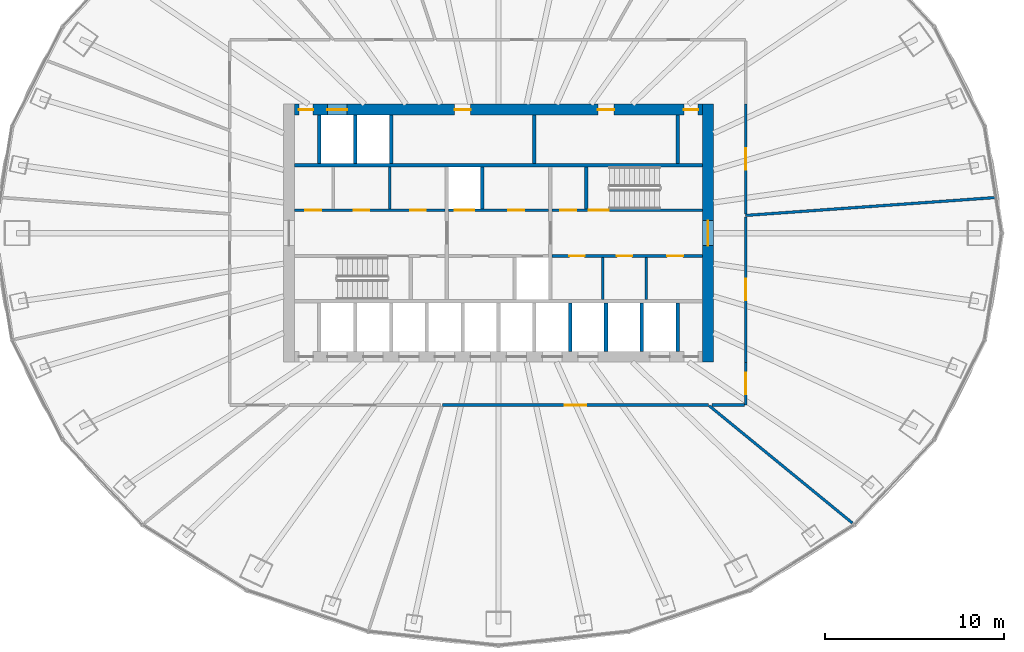
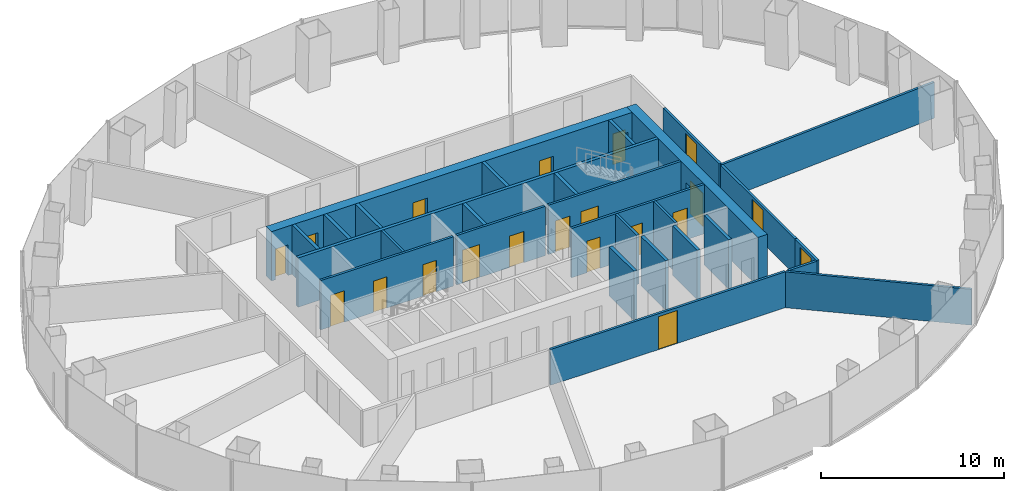
# One storey, part 9 of 11: 28 walls, 20 doors, 20 openings.
"""IFC4 building model written with IfcOpenShell, lengths in metres."""

from ifc_helpers import new_model, si_unit, direction, frame, frame_2d, origin, place, context, subcontext, project, spatial, rectangle, extrude, material, layer, layer_set, type_object, element, fill, save


model = new_model("IFC4")

# Units and contexts
model_context = context("Model", 3, precision=1e-05, world=origin(), true_north=direction((0.0, 1.0)))
body_context = subcontext(model_context, "Body", "Model", "MODEL_VIEW")
ifc_project = project(units=[si_unit("LENGTHUNIT", "METRE"), si_unit("AREAUNIT", "SQUARE_METRE"), si_unit("VOLUMEUNIT", "CUBIC_METRE"), si_unit("PLANEANGLEUNIT", "RADIAN"), si_unit("MASSUNIT", "GRAM", prefix="KILO")], contexts=[model_context])

# Site, building, storey
site_placement = place(None, origin())
site = spatial("IfcSite", under=ifc_project, at=site_placement, CompositionType="ELEMENT")
building_placement = place(site_placement, origin())
building = spatial("IfcBuilding", under=site, at=building_placement, Name="Siaravel Broadcast Tower", CompositionType="ELEMENT")
storey_placement = place(building_placement, frame((0.0, 0.0, 44.5)))
storey = spatial("IfcBuildingStorey", under=building, at=storey_placement, Name="L09", CompositionType="ELEMENT", Elevation=44.5)

# Walls
ifc_material_1 = material(Name="Concrete blockwork", Category="masonry")
ifc_layer_1 = layer(ifc_material_1, 0.14990234375)
ifc_layer_set_1 = layer_set([ifc_layer_1], Name="Concrete blockwork")
wall_type_1 = type_object("IfcWallType", Name="Core partition 150", PredefinedType="PARTITIONING", material=ifc_layer_set_1)
for number, where, z_axis, x_axis, name in (
    (1, (-6.072021484375, 1.35009765625, 0.0), (0.0, 0.0, 1.0), (0.0, 1.0, 0.0), "L09 core partition PNW1"),
    (2, (5.8291015625, -3.699951171875, 0.0), (0.0, 0.0, 1.0), (0.0, 1.0, 0.0), "L09 core partition PSE0"),
    (3, (8.2470703125, -3.699951171875, 0.0), (0.0, 0.0, 1.0), (0.0, 1.0, 0.0), "L09 core partition PSE1"),
):
    element("IfcWall", number, at=place(storey_placement, frame(where, z_axis=z_axis, x_axis=x_axis)), inside=storey, type_object=wall_type_1, Name=name, PredefinedType="PARTITIONING", context=body_context, shape_type="SweptSolid", body=[
        extrude(rectangle(XDim=2.349853515625, YDim=0.14990234375, at=frame_2d((1.1748046875, 0.0))), origin(), (0.0, 0.0, 1.0), 3.300048828125),
    ])
ifc_layer_2 = layer(ifc_material_1, 0.199951171875)
ifc_layer_set_2 = layer_set([ifc_layer_2], Name="Concrete blockwork")
wall_type_2 = type_object("IfcWallType", Name="Core partition 200", PredefinedType="PARTITIONING", material=ifc_layer_set_2)
wall_1_placement = place(storey_placement, frame((2.0, 3.89990234375, 0.0), z_axis=(0.0, 0.0, 1.0), x_axis=(0.0, 1.0, 0.0)))
element("IfcWall", 4, at=wall_1_placement, inside=storey, type_object=wall_type_2, Name="L09 core partition PFN2", PredefinedType="PARTITIONING", context=body_context, shape_type="SweptSolid", body=[
    extrude(rectangle(XDim=2.7001953125, YDim=0.199951171875, at=frame_2d((1.35009765625, 0.0))), origin(), (0.0, 0.0, 1.0), 3.300048828125),
])

# Wall, opening, door
ifc_material_2 = material(Name="Concrete C60/75", Category="concrete")
ifc_layer_3 = layer(ifc_material_2, 0.60009765625)
ifc_layer_set_3 = layer_set([ifc_layer_3], Name="Concrete C60/75")
wall_type_3 = type_object("IfcWallType", Name="Core wall 600", PredefinedType="SHEAR", material=ifc_layer_set_3)
wall_2_placement = place(storey_placement, frame((11.699951171875, -7.199951171875, 0.0), z_axis=(0.0, 0.0, 1.0), x_axis=(0.0, 1.0, 0.0)))
wall_2 = element("IfcWall", 5, at=wall_2_placement, inside=storey, type_object=wall_type_3, Name="L09 core wall OE", PredefinedType="SHEAR", context=body_context, shape_type="SweptSolid", body=[
    extrude(rectangle(XDim=14.39990234375, YDim=0.60009765625, at=frame_2d((7.199951171875, 0.0))), origin(), (0.0, 0.0, 1.0), 3.300048828125),
])
opening_1_placement = place(wall_2_placement, frame((6.5, 0.0, 0.0)))
opening_1 = element("IfcOpeningElement", 6, at=opening_1_placement, cuts=wall_2, Name="Opening L09-DX-E", PredefinedType="OPENING", context=body_context, shape_type="SweptSolid", body=[
    extrude(rectangle(XDim=1.39990234375, YDim=2.199951171875, at=frame_2d((0.699951171875, 1.10009765625))), frame((0.0, 0.31005859375, 0.0), z_axis=(0.0, -1.0, 0.0), x_axis=(1.0, 0.0, 0.0)), (0.0, 0.0, 1.0), 0.6201171875),
])
ifc_material_3 = material(Name="Steel", Category="steel")
door_type_1 = type_object("IfcDoorType", Name="Core exit door 1400", OperationType="DOUBLE_DOOR_SINGLE_SWING", PredefinedType="DOOR", material=ifc_material_3)
door_1_placement = place(opening_1_placement, origin())
door_1 = element("IfcDoor", 7, at=door_1_placement, inside=storey, type_object=door_type_1, Name="L09 door DX-E", OperationType="DOUBLE_DOOR_SINGLE_SWING", OverallHeight=2.199951171875, OverallWidth=1.39990234375, PredefinedType="DOOR", context=body_context, shape_type="SweptSolid", body=[
    extrude(rectangle(XDim=1.39990234375, YDim=2.199951171875, at=frame_2d((0.699951171875, 1.10009765625))), frame((0.0, 0.02490234375, 0.0), z_axis=(0.0, -1.0, 0.0), x_axis=(1.0, 0.0, 0.0)), (0.0, 0.0, 1.0), 0.050048828125),
])
fill(opening_1, door_1)

# Wall, openings, doors
wall_3_placement = place(storey_placement, frame((-11.39990234375, 6.89990234375, 0.0), z_axis=(0.0, 0.0, 1.0), x_axis=(1.0, 0.0, 0.0)))
wall_3 = element("IfcWall", 8, at=wall_3_placement, inside=storey, type_object=wall_type_3, Name="L09 core wall ON", PredefinedType="SHEAR", context=body_context, shape_type="SweptSolid", body=[
    extrude(rectangle(XDim=22.7998046875, YDim=0.60009765625, at=frame_2d((11.39990234375, 0.0))), origin(), (0.0, 0.0, 1.0), 3.300048828125),
])
opening_2_placement = place(wall_3_placement, frame((1.85009765625, 0.0, 0.0)))
opening_2 = element("IfcOpeningElement", 9, at=opening_2_placement, cuts=wall_3, Name="Opening LD-SV2-L09", PredefinedType="OPENING", context=body_context, shape_type="SweptSolid", body=[
    extrude(rectangle(XDim=1.10009765625, YDim=2.199951171875, at=frame_2d((0.550048828125, 1.10009765625))), frame((0.0, 0.31005859375, 0.0), z_axis=(0.0, -1.0, 0.0), x_axis=(1.0, 0.0, 0.0)), (0.0, 0.0, 1.0), 0.6201171875),
])
opening_3_placement = place(wall_3_placement, frame((8.949951171875, 0.0, 0.0)))
opening_3 = element("IfcOpeningElement", 10, at=opening_3_placement, cuts=wall_3, Name="Opening L09-DFN2", PredefinedType="OPENING", context=body_context, shape_type="SweptSolid", body=[
    extrude(rectangle(XDim=0.89990234375, YDim=2.10009765625, at=frame_2d((0.449951171875, 1.050048828125))), frame((0.0, 0.31005859375, 0.0), z_axis=(0.0, -1.0, 0.0), x_axis=(1.0, 0.0, 0.0)), (0.0, 0.0, 1.0), 0.6201171875),
])
opening_4_placement = place(wall_3_placement, frame((16.949951171875, 0.0, 0.0)))
opening_4 = element("IfcOpeningElement", 11, at=opening_4_placement, cuts=wall_3, Name="Opening L09-DFN6", PredefinedType="OPENING", context=body_context, shape_type="SweptSolid", body=[
    extrude(rectangle(XDim=0.89990234375, YDim=2.10009765625, at=frame_2d((0.449951171875, 1.050048828125))), frame((0.0, 0.31005859375, 0.0), z_axis=(0.0, -1.0, 0.0), x_axis=(1.0, 0.0, 0.0)), (0.0, 0.0, 1.0), 0.6201171875),
])
opening_5_placement = place(wall_3_placement, frame((0.25, 0.0, 0.0)))
opening_5 = element("IfcOpeningElement", 12, at=opening_5_placement, cuts=wall_3, Name="Opening L09-DRNW", PredefinedType="OPENING", context=body_context, shape_type="SweptSolid", body=[
    extrude(rectangle(XDim=0.800048828125, YDim=2.050048828125, at=frame_2d((0.39990234375, 1.02490234375))), frame((0.0, 0.31005859375, 0.0), z_axis=(0.0, -1.0, 0.0), x_axis=(1.0, 0.0, 0.0)), (0.0, 0.0, 1.0), 0.6201171875),
])
opening_6_placement = place(wall_3_placement, frame((21.75, 0.0, 0.0)))
opening_6 = element("IfcOpeningElement", 13, at=opening_6_placement, cuts=wall_3, Name="Opening L09-DRNE", PredefinedType="OPENING", context=body_context, shape_type="SweptSolid", body=[
    extrude(rectangle(XDim=0.800048828125, YDim=2.050048828125, at=frame_2d((0.39990234375, 1.02490234375))), frame((0.0, 0.31005859375, 0.0), z_axis=(0.0, -1.0, 0.0), x_axis=(1.0, 0.0, 0.0)), (0.0, 0.0, 1.0), 0.6201171875),
])
ifc_material_4 = material(Name="Timber veneer", Category="wood")
door_type_2 = type_object("IfcDoorType", Name="Core room door 900", OperationType="SINGLE_SWING_LEFT", PredefinedType="DOOR", material=ifc_material_4)
door_2_placement = place(opening_3_placement, origin())
door_2 = element("IfcDoor", 14, at=door_2_placement, inside=storey, type_object=door_type_2, Name="L09 door DFN2", OperationType="SINGLE_SWING_LEFT", OverallHeight=2.10009765625, OverallWidth=0.89990234375, PredefinedType="DOOR", context=body_context, shape_type="SweptSolid", body=[
    extrude(rectangle(XDim=0.89990234375, YDim=2.10009765625, at=frame_2d((0.449951171875, 1.050048828125))), frame((0.0, 0.02490234375, 0.0), z_axis=(0.0, -1.0, 0.0), x_axis=(1.0, 0.0, 0.0)), (0.0, 0.0, 1.0), 0.050048828125),
])
fill(opening_3, door_2)
door_3_placement = place(opening_4_placement, origin())
door_3 = element("IfcDoor", 15, at=door_3_placement, inside=storey, type_object=door_type_2, Name="L09 door DFN6", OperationType="SINGLE_SWING_LEFT", OverallHeight=2.10009765625, OverallWidth=0.89990234375, PredefinedType="DOOR", context=body_context, shape_type="SweptSolid", body=[
    extrude(rectangle(XDim=0.89990234375, YDim=2.10009765625, at=frame_2d((0.449951171875, 1.050048828125))), frame((0.0, 0.02490234375, 0.0), z_axis=(0.0, -1.0, 0.0), x_axis=(1.0, 0.0, 0.0)), (0.0, 0.0, 1.0), 0.050048828125),
])
fill(opening_4, door_3)
door_type_3 = type_object("IfcDoorType", Name="Riser door 800", OperationType="SINGLE_SWING_LEFT", PredefinedType="DOOR", material=ifc_material_3)
door_4_placement = place(opening_5_placement, origin())
door_4 = element("IfcDoor", 16, at=door_4_placement, inside=storey, type_object=door_type_3, Name="L09 door DRNW", OperationType="SINGLE_SWING_LEFT", OverallHeight=2.050048828125, OverallWidth=0.800048828125, PredefinedType="DOOR", context=body_context, shape_type="SweptSolid", body=[
    extrude(rectangle(XDim=0.800048828125, YDim=2.050048828125, at=frame_2d((0.39990234375, 1.02490234375))), frame((0.0, 0.02490234375, 0.0), z_axis=(0.0, -1.0, 0.0), x_axis=(1.0, 0.0, 0.0)), (0.0, 0.0, 1.0), 0.050048828125),
])
fill(opening_5, door_4)
door_5_placement = place(opening_6_placement, origin())
door_5 = element("IfcDoor", 17, at=door_5_placement, inside=storey, type_object=door_type_3, Name="L09 door DRNE", OperationType="SINGLE_SWING_LEFT", OverallHeight=2.050048828125, OverallWidth=0.800048828125, PredefinedType="DOOR", context=body_context, shape_type="SweptSolid", body=[
    extrude(rectangle(XDim=0.800048828125, YDim=2.050048828125, at=frame_2d((0.39990234375, 1.02490234375))), frame((0.0, 0.02490234375, 0.0), z_axis=(0.0, -1.0, 0.0), x_axis=(1.0, 0.0, 0.0)), (0.0, 0.0, 1.0), 0.050048828125),
])
fill(opening_6, door_5)
ifc_material_5 = material(Name="Stainless steel 316L", Category="steel")
door_type_4 = type_object("IfcDoorType", Name="Service lift landing door 1100", OperationType="DOUBLE_DOOR_SLIDING", PredefinedType="DOOR", material=ifc_material_5)
door_6_placement = place(opening_2_placement, origin())
door_6 = element("IfcDoor", 18, at=door_6_placement, inside=storey, type_object=door_type_4, Name="Landing door SV2 L09", OperationType="DOUBLE_DOOR_SLIDING", OverallHeight=2.199951171875, OverallWidth=1.10009765625, PredefinedType="DOOR", context=body_context, shape_type="SweptSolid", body=[
    extrude(rectangle(XDim=1.10009765625, YDim=2.199951171875, at=frame_2d((0.550048828125, 1.10009765625))), frame((0.0, 0.02490234375, 0.0), z_axis=(0.0, -1.0, 0.0), x_axis=(1.0, 0.0, 0.0)), (0.0, 0.0, 1.0), 0.050048828125),
])
fill(opening_2, door_6)

ifc_material_6 = material(Name="Gypsum board partition", Category="gypsum")
ifc_layer_4 = layer(ifc_material_6, 0.14990234375)
ifc_layer_set_4 = layer_set([ifc_layer_4], Name="Gypsum board partition")
wall_type_4 = type_object("IfcWallType", Name="Corridor wall 150", PredefinedType="PARTITIONING", material=ifc_layer_set_4)
wall_4_placement = place(storey_placement, frame((3.0, -1.27490234375, 0.0), z_axis=(0.0, 0.0, 1.0), x_axis=(1.0, 0.0, 0.0)))
wall_4 = element("IfcWall", 19, at=wall_4_placement, inside=storey, type_object=wall_type_4, Name="L09 core partition CSE", PredefinedType="PARTITIONING", context=body_context, shape_type="SweptSolid", body=[
    extrude(rectangle(XDim=8.39990234375, YDim=0.14990234375, at=frame_2d((4.199951171875, 0.0))), origin(), (0.0, 0.0, 1.0), 3.300048828125),
])
opening_7_placement = place(wall_4_placement, frame((0.951904296875, 0.0, 0.0)))
opening_7 = element("IfcOpeningElement", 20, at=opening_7_placement, cuts=wall_4, Name="Opening L09-DSE0", PredefinedType="OPENING", context=body_context, shape_type="SweptSolid", body=[
    extrude(rectangle(XDim=0.85009765625, YDim=2.10009765625, at=frame_2d((0.425048828125, 1.050048828125))), frame((0.0, 0.0849609375, 0.0), z_axis=(0.0, -1.0, 0.0), x_axis=(1.0, 0.0, 0.0)), (0.0, 0.0, 1.0), 0.169921875),
])
opening_8_placement = place(wall_4_placement, frame((3.613037109375, 0.0, 0.0)))
opening_8 = element("IfcOpeningElement", 21, at=opening_8_placement, cuts=wall_4, Name="Opening L09-DSE1", PredefinedType="OPENING", context=body_context, shape_type="SweptSolid", body=[
    extrude(rectangle(XDim=0.85009765625, YDim=2.10009765625, at=frame_2d((0.425048828125, 1.050048828125))), frame((0.0, 0.0849609375, 0.0), z_axis=(0.0, -1.0, 0.0), x_axis=(1.0, 0.0, 0.0)), (0.0, 0.0, 1.0), 0.169921875),
])
opening_9_placement = place(wall_4_placement, frame((6.410888671875, 0.0, 0.0)))
opening_9 = element("IfcOpeningElement", 22, at=opening_9_placement, cuts=wall_4, Name="Opening L09-DSE2", PredefinedType="OPENING", context=body_context, shape_type="SweptSolid", body=[
    extrude(rectangle(XDim=0.89990234375, YDim=2.10009765625, at=frame_2d((0.449951171875, 1.050048828125))), frame((0.0, 0.0849609375, 0.0), z_axis=(0.0, -1.0, 0.0), x_axis=(1.0, 0.0, 0.0)), (0.0, 0.0, 1.0), 0.169921875),
])
door_7_placement = place(opening_9_placement, origin())
door_7 = element("IfcDoor", 23, at=door_7_placement, inside=storey, type_object=door_type_2, Name="L09 door DSE2", OperationType="SINGLE_SWING_LEFT", OverallHeight=2.10009765625, OverallWidth=0.89990234375, PredefinedType="DOOR", context=body_context, shape_type="SweptSolid", body=[
    extrude(rectangle(XDim=0.89990234375, YDim=2.10009765625, at=frame_2d((0.449951171875, 1.050048828125))), frame((0.0, 0.02490234375, 0.0), z_axis=(0.0, -1.0, 0.0), x_axis=(1.0, 0.0, 0.0)), (0.0, 0.0, 1.0), 0.050048828125),
])
fill(opening_9, door_7)
door_type_5 = type_object("IfcDoorType", Name="Core toilet door 850", OperationType="SINGLE_SWING_LEFT", PredefinedType="DOOR", material=ifc_material_4)
door_8_placement = place(opening_7_placement, origin())
door_8 = element("IfcDoor", 24, at=door_8_placement, inside=storey, type_object=door_type_5, Name="L09 door DSE0", OperationType="SINGLE_SWING_LEFT", OverallHeight=2.10009765625, OverallWidth=0.85009765625, PredefinedType="DOOR", context=body_context, shape_type="SweptSolid", body=[
    extrude(rectangle(XDim=0.85009765625, YDim=2.10009765625, at=frame_2d((0.425048828125, 1.050048828125))), frame((0.0, 0.02490234375, 0.0), z_axis=(0.0, -1.0, 0.0), x_axis=(1.0, 0.0, 0.0)), (0.0, 0.0, 1.0), 0.050048828125),
])
fill(opening_7, door_8)
door_9_placement = place(opening_8_placement, origin())
door_9 = element("IfcDoor", 25, at=door_9_placement, inside=storey, type_object=door_type_5, Name="L09 door DSE1", OperationType="SINGLE_SWING_LEFT", OverallHeight=2.10009765625, OverallWidth=0.85009765625, PredefinedType="DOOR", context=body_context, shape_type="SweptSolid", body=[
    extrude(rectangle(XDim=0.85009765625, YDim=2.10009765625, at=frame_2d((0.425048828125, 1.050048828125))), frame((0.0, 0.02490234375, 0.0), z_axis=(0.0, -1.0, 0.0), x_axis=(1.0, 0.0, 0.0)), (0.0, 0.0, 1.0), 0.050048828125),
])
fill(opening_8, door_9)

wall_5_placement = place(storey_placement, frame((-11.39990234375, 1.27490234375, 0.0), z_axis=(0.0, 0.0, 1.0), x_axis=(1.0, 0.0, 0.0)))
wall_5 = element("IfcWall", 26, at=wall_5_placement, inside=storey, type_object=wall_type_4, Name="L09 core partition CNW", PredefinedType="PARTITIONING", context=body_context, shape_type="SweptSolid", body=[
    extrude(rectangle(XDim=8.39990234375, YDim=0.14990234375, at=frame_2d((4.199951171875, 0.0))), origin(), (0.0, 0.0, 1.0), 3.300048828125),
])
opening_10_placement = place(wall_5_placement, frame((0.60302734375, 0.0, 0.0)))
opening_10 = element("IfcOpeningElement", 27, at=opening_10_placement, cuts=wall_5, Name="Opening L09-DNW0", PredefinedType="OPENING", context=body_context, shape_type="SweptSolid", body=[
    extrude(rectangle(XDim=0.89990234375, YDim=2.10009765625, at=frame_2d((0.449951171875, 1.050048828125))), frame((0.0, 0.0849609375, 0.0), z_axis=(0.0, -1.0, 0.0), x_axis=(1.0, 0.0, 0.0)), (0.0, 0.0, 1.0), 0.169921875),
])
opening_11_placement = place(wall_5_placement, frame((3.32958984375, 0.0, 0.0)))
opening_11 = element("IfcOpeningElement", 28, at=opening_11_placement, cuts=wall_5, Name="Opening L09-DNW1", PredefinedType="OPENING", context=body_context, shape_type="SweptSolid", body=[
    extrude(rectangle(XDim=0.85009765625, YDim=2.10009765625, at=frame_2d((0.425048828125, 1.050048828125))), frame((0.0, 0.0849609375, 0.0), z_axis=(0.0, -1.0, 0.0), x_axis=(1.0, 0.0, 0.0)), (0.0, 0.0, 1.0), 0.169921875),
])
opening_12_placement = place(wall_5_placement, frame((6.4765625, 0.0, 0.0)))
opening_12 = element("IfcOpeningElement", 29, at=opening_12_placement, cuts=wall_5, Name="Opening L09-DNW2", PredefinedType="OPENING", context=body_context, shape_type="SweptSolid", body=[
    extrude(rectangle(XDim=0.85009765625, YDim=2.10009765625, at=frame_2d((0.425048828125, 1.050048828125))), frame((0.0, 0.0849609375, 0.0), z_axis=(0.0, -1.0, 0.0), x_axis=(1.0, 0.0, 0.0)), (0.0, 0.0, 1.0), 0.169921875),
])
door_10_placement = place(opening_10_placement, origin())
door_10 = element("IfcDoor", 30, at=door_10_placement, inside=storey, type_object=door_type_2, Name="L09 door DNW0", OperationType="SINGLE_SWING_LEFT", OverallHeight=2.10009765625, OverallWidth=0.89990234375, PredefinedType="DOOR", context=body_context, shape_type="SweptSolid", body=[
    extrude(rectangle(XDim=0.89990234375, YDim=2.10009765625, at=frame_2d((0.449951171875, 1.050048828125))), frame((0.0, 0.02490234375, 0.0), z_axis=(0.0, -1.0, 0.0), x_axis=(1.0, 0.0, 0.0)), (0.0, 0.0, 1.0), 0.050048828125),
])
fill(opening_10, door_10)
door_11_placement = place(opening_11_placement, origin())
door_11 = element("IfcDoor", 31, at=door_11_placement, inside=storey, type_object=door_type_5, Name="L09 door DNW1", OperationType="SINGLE_SWING_LEFT", OverallHeight=2.10009765625, OverallWidth=0.85009765625, PredefinedType="DOOR", context=body_context, shape_type="SweptSolid", body=[
    extrude(rectangle(XDim=0.85009765625, YDim=2.10009765625, at=frame_2d((0.425048828125, 1.050048828125))), frame((0.0, 0.02490234375, 0.0), z_axis=(0.0, -1.0, 0.0), x_axis=(1.0, 0.0, 0.0)), (0.0, 0.0, 1.0), 0.050048828125),
])
fill(opening_11, door_11)
door_12_placement = place(opening_12_placement, origin())
door_12 = element("IfcDoor", 32, at=door_12_placement, inside=storey, type_object=door_type_5, Name="L09 door DNW2", OperationType="SINGLE_SWING_LEFT", OverallHeight=2.10009765625, OverallWidth=0.85009765625, PredefinedType="DOOR", context=body_context, shape_type="SweptSolid", body=[
    extrude(rectangle(XDim=0.85009765625, YDim=2.10009765625, at=frame_2d((0.425048828125, 1.050048828125))), frame((0.0, 0.02490234375, 0.0), z_axis=(0.0, -1.0, 0.0), x_axis=(1.0, 0.0, 0.0)), (0.0, 0.0, 1.0), 0.050048828125),
])
fill(opening_12, door_12)

# Wall, opening, door
wall_6_placement = place(storey_placement, frame((-3.140380859375, -9.60009765625, 0.0), z_axis=(0.0, 0.0, 1.0), x_axis=(1.0, 0.0, 0.0)))
wall_6 = element("IfcWall", 33, at=wall_6_placement, inside=storey, type_object=wall_type_4, Name="L09 partition 1", PredefinedType="PARTITIONING", context=body_context, shape_type="SweptSolid", body=[
    extrude(rectangle(XDim=14.8603515625, YDim=0.14990234375, at=frame_2d((7.43017578125, 0.0))), origin(), (0.0, 0.0, 1.0), 2.39990234375),
])
opening_13_placement = place(wall_6_placement, frame((6.830078125, 0.0, 0.0)))
opening_13 = element("IfcOpeningElement", 34, at=opening_13_placement, cuts=wall_6, Name="Opening L09-014", PredefinedType="OPENING", context=body_context, shape_type="SweptSolid", body=[
    extrude(rectangle(XDim=1.199951171875, YDim=2.199951171875, at=frame_2d((0.60009765625, 1.10009765625))), frame((0.0, 0.0849609375, 0.0), z_axis=(0.0, -1.0, 0.0), x_axis=(1.0, 0.0, 0.0)), (0.0, 0.0, 1.0), 0.169921875),
])
door_type_6 = type_object("IfcDoorType", Name="Office double door 1200", OperationType="DOUBLE_DOOR_SINGLE_SWING", PredefinedType="DOOR", material=ifc_material_4)
door_13_placement = place(opening_13_placement, origin())
door_13 = element("IfcDoor", 35, at=door_13_placement, inside=storey, type_object=door_type_6, Name="L09 door to Open plan newsroom", OperationType="DOUBLE_DOOR_SINGLE_SWING", OverallHeight=2.199951171875, OverallWidth=1.199951171875, PredefinedType="DOOR", context=body_context, shape_type="SweptSolid", body=[
    extrude(rectangle(XDim=1.199951171875, YDim=2.199951171875, at=frame_2d((0.60009765625, 1.10009765625))), frame((0.0, 0.02490234375, 0.0), z_axis=(0.0, -1.0, 0.0), x_axis=(1.0, 0.0, 0.0)), (0.0, 0.0, 1.0), 0.050048828125),
])
fill(opening_13, door_13)

wall_7_placement = place(storey_placement, frame((13.800048828125, -7.2119140625, 0.0), z_axis=(0.0, 0.0, 1.0), x_axis=(0.0, 1.0, 0.0)))
wall_7 = element("IfcWall", 36, at=wall_7_placement, inside=storey, type_object=wall_type_4, Name="L09 partition 14", PredefinedType="PARTITIONING", context=body_context, shape_type="SweptSolid", body=[
    extrude(rectangle(XDim=8.1240234375, YDim=0.14990234375, at=frame_2d((4.06201171875, 0.0))), origin(), (0.0, 0.0, 1.0), 2.39990234375),
])
opening_14_placement = place(wall_7_placement, frame((3.462158203125, 0.0, 0.0)))
opening_14 = element("IfcOpeningElement", 37, at=opening_14_placement, cuts=wall_7, Name="Opening L09-001", PredefinedType="OPENING", context=body_context, shape_type="SweptSolid", body=[
    extrude(rectangle(XDim=1.199951171875, YDim=2.199951171875, at=frame_2d((0.60009765625, 1.10009765625))), frame((0.0, 0.0849609375, 0.0), z_axis=(0.0, -1.0, 0.0), x_axis=(1.0, 0.0, 0.0)), (0.0, 0.0, 1.0), 0.169921875),
])
door_14_placement = place(opening_14_placement, origin())
door_14 = element("IfcDoor", 38, at=door_14_placement, inside=storey, type_object=door_type_6, Name="L09 door to Open plan newsroom", OperationType="DOUBLE_DOOR_SINGLE_SWING", OverallHeight=2.199951171875, OverallWidth=1.199951171875, PredefinedType="DOOR", context=body_context, shape_type="SweptSolid", body=[
    extrude(rectangle(XDim=1.199951171875, YDim=2.199951171875, at=frame_2d((0.60009765625, 1.10009765625))), frame((0.0, 0.02490234375, 0.0), z_axis=(0.0, -1.0, 0.0), x_axis=(1.0, 0.0, 0.0)), (0.0, 0.0, 1.0), 0.050048828125),
])
fill(opening_14, door_14)

wall_8_placement = place(storey_placement, frame((13.800048828125, 1.071533203125, 0.0), z_axis=(0.0, 0.0, 1.0), x_axis=(0.0, 1.0, 0.0)))
wall_8 = element("IfcWall", 39, at=wall_8_placement, inside=storey, type_object=wall_type_4, Name="L09 partition 16", PredefinedType="PARTITIONING", context=body_context, shape_type="SweptSolid", body=[
    extrude(rectangle(XDim=6.140380859375, YDim=0.14990234375, at=frame_2d((3.0703125, 0.0))), origin(), (0.0, 0.0, 1.0), 2.39990234375),
])
opening_15_placement = place(wall_8_placement, frame((2.47021484375, 0.0, 0.0)))
opening_15 = element("IfcOpeningElement", 40, at=opening_15_placement, cuts=wall_8, Name="Opening L09-004", PredefinedType="OPENING", context=body_context, shape_type="SweptSolid", body=[
    extrude(rectangle(XDim=1.199951171875, YDim=2.199951171875, at=frame_2d((0.60009765625, 1.10009765625))), frame((0.0, 0.0849609375, 0.0), z_axis=(0.0, -1.0, 0.0), x_axis=(1.0, 0.0, 0.0)), (0.0, 0.0, 1.0), 0.169921875),
])
door_15_placement = place(opening_15_placement, origin())
door_15 = element("IfcDoor", 41, at=door_15_placement, inside=storey, type_object=door_type_6, Name="L09 door to Open plan newsroom", OperationType="DOUBLE_DOOR_SINGLE_SWING", OverallHeight=2.199951171875, OverallWidth=1.199951171875, PredefinedType="DOOR", context=body_context, shape_type="SweptSolid", body=[
    extrude(rectangle(XDim=1.199951171875, YDim=2.199951171875, at=frame_2d((0.60009765625, 1.10009765625))), frame((0.0, 0.02490234375, 0.0), z_axis=(0.0, -1.0, 0.0), x_axis=(1.0, 0.0, 0.0)), (0.0, 0.0, 1.0), 0.050048828125),
])
fill(opening_15, door_15)

wall_9_placement = place(storey_placement, frame((13.800048828125, -9.60009765625, 0.0), z_axis=(0.0, 0.0, 1.0), x_axis=(0.0, 1.0, 0.0)))
wall_9 = element("IfcWall", 42, at=wall_9_placement, inside=storey, type_object=wall_type_4, Name="L09 partition 26", PredefinedType="PARTITIONING", context=body_context, shape_type="SweptSolid", body=[
    extrude(rectangle(XDim=2.38720703125, YDim=0.14990234375, at=frame_2d((1.193603515625, 0.0))), origin(), (0.0, 0.0, 1.0), 2.39990234375),
])
opening_16_placement = place(wall_9_placement, frame((0.593505859375, 0.0, 0.0)))
opening_16 = element("IfcOpeningElement", 43, at=opening_16_placement, cuts=wall_9, Name="Opening L09-002", PredefinedType="OPENING", context=body_context, shape_type="SweptSolid", body=[
    extrude(rectangle(XDim=1.199951171875, YDim=2.199951171875, at=frame_2d((0.60009765625, 1.10009765625))), frame((0.0, 0.0849609375, 0.0), z_axis=(0.0, -1.0, 0.0), x_axis=(1.0, 0.0, 0.0)), (0.0, 0.0, 1.0), 0.169921875),
])
door_16_placement = place(opening_16_placement, origin())
door_16 = element("IfcDoor", 44, at=door_16_placement, inside=storey, type_object=door_type_6, Name="L09 door to Open plan newsroom", OperationType="DOUBLE_DOOR_SINGLE_SWING", OverallHeight=2.199951171875, OverallWidth=1.199951171875, PredefinedType="DOOR", context=body_context, shape_type="SweptSolid", body=[
    extrude(rectangle(XDim=1.199951171875, YDim=2.199951171875, at=frame_2d((0.60009765625, 1.10009765625))), frame((0.0, 0.02490234375, 0.0), z_axis=(0.0, -1.0, 0.0), x_axis=(1.0, 0.0, 0.0)), (0.0, 0.0, 1.0), 0.050048828125),
])
fill(opening_16, door_16)

# Walls
wall_10_placement = place(storey_placement, frame((11.931884765625, -9.60009765625, 0.0), z_axis=(0.0, 0.0, 1.0), x_axis=(1.0, 0.0, 0.0)))
element("IfcWall", 45, at=wall_10_placement, inside=storey, type_object=wall_type_4, Name="L09 partition 27", PredefinedType="PARTITIONING", context=body_context, shape_type="SweptSolid", body=[
    extrude(rectangle(XDim=1.791015625, YDim=0.14990234375, at=frame_2d((0.8955078125, 0.0))), origin(), (0.0, 0.0, 1.0), 2.39990234375),
])
ifc_layer_5 = layer(ifc_material_6, 0.14990234375)
ifc_layer_set_5 = layer_set([ifc_layer_5], Name="Gypsum board partition")
wall_type_5 = type_object("IfcWallType", Name="Room partition 150", PredefinedType="PARTITIONING", material=ifc_layer_set_5)
wall_11_placement = place(storey_placement, frame((27.83935546875, 1.9951171875, 0.0), z_axis=(0.0, 0.0, 1.0), x_axis=(-0.997442032, -0.071480021, 0.0)))
element("IfcWall", 46, at=wall_11_placement, inside=storey, type_object=wall_type_5, Name="L09 partition 2", PredefinedType="PARTITIONING", context=body_context, shape_type="SweptSolid", body=[
    extrude(rectangle(XDim=14.0751953125, YDim=0.14990234375, at=frame_2d((7.03759765625, 0.0))), origin(), (0.0, 0.0, 1.0), 2.39990234375),
])
wall_12_placement = place(storey_placement, frame((11.75830078125, -9.63134765625, 0.0), z_axis=(0.0, 0.0, 1.0), x_axis=(0.773600236, -0.63367395, 0.0)))
element("IfcWall", 47, at=wall_12_placement, inside=storey, type_object=wall_type_5, Name="L09 partition 11", PredefinedType="PARTITIONING", context=body_context, shape_type="SweptSolid", body=[
    extrude(rectangle(XDim=10.330810546875, YDim=0.14990234375, at=frame_2d((5.16552734375, 0.0))), origin(), (0.0, 0.0, 1.0), 2.39990234375),
])

# Wall, openings, doors
ifc_layer_6 = layer(ifc_material_2, 0.14990234375)
ifc_layer_set_6 = layer_set([ifc_layer_6], Name="Concrete C60/75")
wall_type_6 = type_object("IfcWallType", Name="Shaft wall 150", PredefinedType="SHEAR", material=ifc_layer_set_6)
wall_13_placement = place(storey_placement, frame((-2.800048828125, 1.27490234375, 0.0), z_axis=(0.0, 0.0, 1.0), x_axis=(1.0, 0.0, 0.0)))
wall_13 = element("IfcWall", 48, at=wall_13_placement, inside=storey, type_object=wall_type_6, Name="L09 core wall CNM", PredefinedType="SHEAR", context=body_context, shape_type="SweptSolid", body=[
    extrude(rectangle(XDim=5.60009765625, YDim=0.14990234375, at=frame_2d((2.800048828125, 0.0))), origin(), (0.0, 0.0, 1.0), 3.300048828125),
])
opening_17_placement = place(wall_13_placement, frame((0.35009765625, 0.0, 0.0)))
opening_17 = element("IfcOpeningElement", 49, at=opening_17_placement, cuts=wall_13, Name="Opening LD-FL1-L09", PredefinedType="OPENING", context=body_context, shape_type="SweptSolid", body=[
    extrude(rectangle(XDim=1.10009765625, YDim=2.199951171875, at=frame_2d((0.550048828125, 1.10009765625))), frame((0.0, 0.0849609375, 0.0), z_axis=(0.0, -1.0, 0.0), x_axis=(1.0, 0.0, 0.0)), (0.0, 0.0, 1.0), 0.169921875),
])
opening_18_placement = place(wall_13_placement, frame((3.35009765625, 0.0, 0.0)))
opening_18 = element("IfcOpeningElement", 50, at=opening_18_placement, cuts=wall_13, Name="Opening L09-DNM0", PredefinedType="OPENING", context=body_context, shape_type="SweptSolid", body=[
    extrude(rectangle(XDim=0.89990234375, YDim=2.10009765625, at=frame_2d((0.449951171875, 1.050048828125))), frame((0.0, 0.0849609375, 0.0), z_axis=(0.0, -1.0, 0.0), x_axis=(1.0, 0.0, 0.0)), (0.0, 0.0, 1.0), 0.169921875),
])
door_17_placement = place(opening_18_placement, origin())
door_17 = element("IfcDoor", 51, at=door_17_placement, inside=storey, type_object=door_type_2, Name="L09 door DNM0", OperationType="SINGLE_SWING_LEFT", OverallHeight=2.10009765625, OverallWidth=0.89990234375, PredefinedType="DOOR", context=body_context, shape_type="SweptSolid", body=[
    extrude(rectangle(XDim=0.89990234375, YDim=2.10009765625, at=frame_2d((0.449951171875, 1.050048828125))), frame((0.0, 0.02490234375, 0.0), z_axis=(0.0, -1.0, 0.0), x_axis=(1.0, 0.0, 0.0)), (0.0, 0.0, 1.0), 0.050048828125),
])
fill(opening_18, door_17)
door_type_7 = type_object("IfcDoorType", Name="Firefighting lift landing door 1100", OperationType="DOUBLE_DOOR_SLIDING", PredefinedType="DOOR", material=ifc_material_5)
door_18_placement = place(opening_17_placement, origin())
door_18 = element("IfcDoor", 52, at=door_18_placement, inside=storey, type_object=door_type_7, Name="Landing door FL1 L09", OperationType="DOUBLE_DOOR_SLIDING", OverallHeight=2.199951171875, OverallWidth=1.10009765625, PredefinedType="DOOR", context=body_context, shape_type="SweptSolid", body=[
    extrude(rectangle(XDim=1.10009765625, YDim=2.199951171875, at=frame_2d((0.550048828125, 1.10009765625))), frame((0.0, 0.02490234375, 0.0), z_axis=(0.0, -1.0, 0.0), x_axis=(1.0, 0.0, 0.0)), (0.0, 0.0, 1.0), 0.050048828125),
])
fill(opening_17, door_18)

wall_14_placement = place(storey_placement, frame((3.0, 1.27490234375, 0.0), z_axis=(0.0, 0.0, 1.0), x_axis=(1.0, 0.0, 0.0)))
wall_14 = element("IfcWall", 53, at=wall_14_placement, inside=storey, type_object=wall_type_6, Name="L09 core wall CNE", PredefinedType="SHEAR", context=body_context, shape_type="SweptSolid", body=[
    extrude(rectangle(XDim=8.39990234375, YDim=0.14990234375, at=frame_2d((4.199951171875, 0.0))), origin(), (0.0, 0.0, 1.0), 3.300048828125),
])
opening_19_placement = place(wall_14_placement, frame((2.050048828125, 0.0, 0.0)))
opening_19 = element("IfcOpeningElement", 54, at=opening_19_placement, cuts=wall_14, Name="Opening L09-DS-2", PredefinedType="OPENING", context=body_context, shape_type="SweptSolid", body=[
    extrude(rectangle(XDim=1.10009765625, YDim=2.14990234375, at=frame_2d((0.550048828125, 1.074951171875))), frame((0.0, 0.0849609375, 0.0), z_axis=(0.0, -1.0, 0.0), x_axis=(1.0, 0.0, 0.0)), (0.0, 0.0, 1.0), 0.169921875),
])
opening_20_placement = place(wall_14_placement, frame((0.449951171875, 0.0, 0.0)))
opening_20 = element("IfcOpeningElement", 55, at=opening_20_placement, cuts=wall_14, Name="Opening L09-DNE0", PredefinedType="OPENING", context=body_context, shape_type="SweptSolid", body=[
    extrude(rectangle(XDim=0.89990234375, YDim=2.10009765625, at=frame_2d((0.449951171875, 1.050048828125))), frame((0.0, 0.0849609375, 0.0), z_axis=(0.0, -1.0, 0.0), x_axis=(1.0, 0.0, 0.0)), (0.0, 0.0, 1.0), 0.169921875),
])
door_19_placement = place(opening_20_placement, origin())
door_19 = element("IfcDoor", 56, at=door_19_placement, inside=storey, type_object=door_type_2, Name="L09 door DNE0", OperationType="SINGLE_SWING_LEFT", OverallHeight=2.10009765625, OverallWidth=0.89990234375, PredefinedType="DOOR", context=body_context, shape_type="SweptSolid", body=[
    extrude(rectangle(XDim=0.89990234375, YDim=2.10009765625, at=frame_2d((0.449951171875, 1.050048828125))), frame((0.0, 0.02490234375, 0.0), z_axis=(0.0, -1.0, 0.0), x_axis=(1.0, 0.0, 0.0)), (0.0, 0.0, 1.0), 0.050048828125),
])
fill(opening_20, door_19)
door_type_8 = type_object("IfcDoorType", Name="Stair door 1100", OperationType="SINGLE_SWING_LEFT", PredefinedType="DOOR", material=ifc_material_3)
door_20_placement = place(opening_19_placement, origin())
door_20 = element("IfcDoor", 57, at=door_20_placement, inside=storey, type_object=door_type_8, Name="L09 door DS-2", OperationType="SINGLE_SWING_LEFT", OverallHeight=2.14990234375, OverallWidth=1.10009765625, PredefinedType="DOOR", context=body_context, shape_type="SweptSolid", body=[
    extrude(rectangle(XDim=1.10009765625, YDim=2.14990234375, at=frame_2d((0.550048828125, 1.074951171875))), frame((0.0, 0.02490234375, 0.0), z_axis=(0.0, -1.0, 0.0), x_axis=(1.0, 0.0, 0.0)), (0.0, 0.0, 1.0), 0.050048828125),
])
fill(opening_19, door_20)

# Walls
ifc_layer_7 = layer(ifc_material_2, 0.199951171875)
ifc_layer_set_7 = layer_set([ifc_layer_7], Name="Concrete C60/75")
wall_type_7 = type_object("IfcWallType", Name="Shaft wall 200", PredefinedType="SHEAR", material=ifc_layer_set_7)
wall_15_placement = place(storey_placement, frame((-11.39990234375, 3.800048828125, 0.0), z_axis=(0.0, 0.0, 1.0), x_axis=(1.0, 0.0, 0.0)))
element("IfcWall", 58, at=wall_15_placement, inside=storey, type_object=wall_type_7, Name="L09 core wall BN", PredefinedType="SHEAR", context=body_context, shape_type="SweptSolid", body=[
    extrude(rectangle(XDim=22.7998046875, YDim=0.199951171875, at=frame_2d((11.39990234375, 0.0))), origin(), (0.0, 0.0, 1.0), 3.300048828125),
])
for number, where, z_axis, x_axis, name in (
    (59, (4.0, -6.60009765625, 0.0), (0.0, 0.0, 1.0), (0.0, 1.0, 0.0), "L09 core wall SWS7"),
    (60, (6.0, -6.60009765625, 0.0), (0.0, 0.0, 1.0), (0.0, 1.0, 0.0), "L09 core wall SWS8"),
    (61, (8.0, -6.60009765625, 0.0), (0.0, 0.0, 1.0), (0.0, 1.0, 0.0), "L09 core wall SWS9"),
    (62, (10.0, -6.60009765625, 0.0), (0.0, 0.0, 1.0), (0.0, 1.0, 0.0), "L09 core wall SWS10"),
    (63, (-10.0, 3.89990234375, 0.0), (0.0, 0.0, 1.0), (0.0, 1.0, 0.0), "L09 core wall SWN0"),
    (64, (-8.0, 3.89990234375, 0.0), (0.0, 0.0, 1.0), (0.0, 1.0, 0.0), "L09 core wall SWN1"),
    (65, (-6.0, 3.89990234375, 0.0), (0.0, 0.0, 1.0), (0.0, 1.0, 0.0), "L09 core wall SWN2"),
    (66, (10.0, 3.89990234375, 0.0), (0.0, 0.0, 1.0), (0.0, 1.0, 0.0), "L09 core wall SWN10"),
):
    element("IfcWall", number, at=place(storey_placement, frame(where, z_axis=z_axis, x_axis=x_axis)), inside=storey, type_object=wall_type_7, Name=name, PredefinedType="SHEAR", context=body_context, shape_type="SweptSolid", body=[
        extrude(rectangle(XDim=2.7001953125, YDim=0.199951171875, at=frame_2d((1.35009765625, 0.0))), origin(), (0.0, 0.0, 1.0), 3.300048828125),
    ])
for number, where, z_axis, x_axis, name in (
    (67, (-0.89990234375, 1.35009765625, 0.0), (0.0, 0.0, 1.0), (0.0, 1.0, 0.0), "L09 core wall FF1E"),
    (68, (4.89990234375, 1.35009765625, 0.0), (0.0, 0.0, 1.0), (0.0, 1.0, 0.0), "L09 core wall ST2W"),
):
    element("IfcWall", number, at=place(storey_placement, frame(where, z_axis=z_axis, x_axis=x_axis)), inside=storey, type_object=wall_type_7, Name=name, PredefinedType="SHEAR", context=body_context, shape_type="SweptSolid", body=[
        extrude(rectangle(XDim=2.349853515625, YDim=0.199951171875, at=frame_2d((1.1748046875, 0.0))), origin(), (0.0, 0.0, 1.0), 3.300048828125),
    ])

save(model, "model.ifc")
